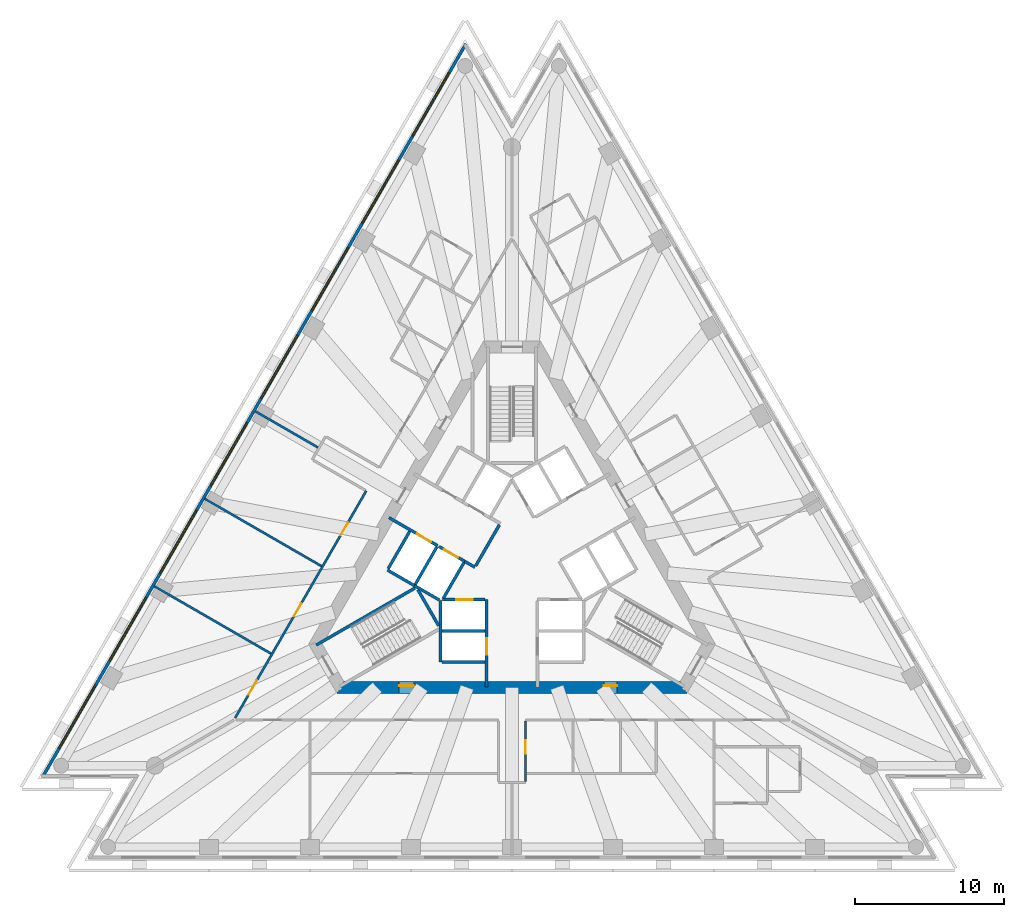
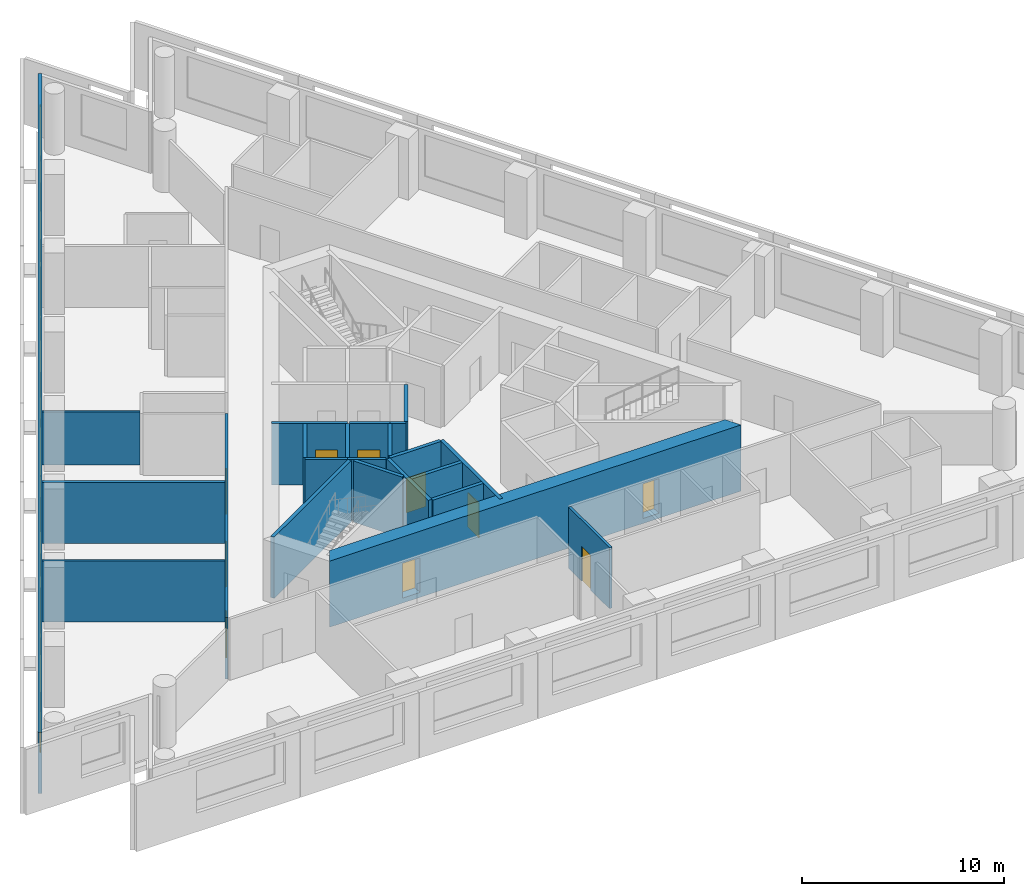
# One storey, part 3 of 9: 23 walls, 10 doors, 8 windows, 18 openings.
"""IFC4 building model written with IfcOpenShell, lengths in metres."""

from ifc_helpers import new_model, si_unit, direction, frame, frame_2d, origin, place, context, subcontext, project, spatial, polyline, rectangle, outline, extrude, material, layer, layer_set, layer_usage, type_object, element, fill, save


model = new_model("IFC4")

# Units and contexts
model_context = context("Model", 3, precision=1e-05, world=origin(), true_north=direction((0.0, 1.0)))
body_context = subcontext(model_context, "Body", "Model", "MODEL_VIEW")
ifc_project = project(units=[si_unit("LENGTHUNIT", "METRE"), si_unit("AREAUNIT", "SQUARE_METRE"), si_unit("VOLUMEUNIT", "CUBIC_METRE"), si_unit("PLANEANGLEUNIT", "RADIAN"), si_unit("MASSUNIT", "GRAM", prefix="KILO")], contexts=[model_context])

# Site, building, storey
site_placement = place(None, origin())
site = spatial("IfcSite", under=ifc_project, at=site_placement, CompositionType="ELEMENT")
building_placement = place(site_placement, origin())
building = spatial("IfcBuilding", under=site, at=building_placement, Name="Triada Interchange Tower", CompositionType="ELEMENT")
storey_placement = place(building_placement, frame((0.0, 0.0, 132.300048828125)))
storey = spatial("IfcBuildingStorey", under=building, at=storey_placement, Name="L30", CompositionType="ELEMENT", Elevation=132.300048828125)

# Walls
ifc_material_1 = material(Name="Concrete C30/37", Category="concrete")
ifc_layer_1 = layer(ifc_material_1, 0.199951171875)
ifc_layer_set_1 = layer_set([ifc_layer_1], Name="CORE WALL 200 EI 120")
wall_type_1 = type_object("IfcWallType", Name="CORE WALL 200 EI 120", PredefinedType="SOLIDWALL", material=ifc_layer_set_1)
wall_1_placement = place(storey_placement, frame((-8.3759765625, -0.70703125, 0.0), z_axis=(0.0, 0.0, 1.0), x_axis=(0.866067520717, -0.499927044236, 0.0)))
element("IfcWall", 1, at=wall_1_placement, inside=storey, type_object=wall_type_1, Name="Wall L29 54", PredefinedType="SOLIDWALL", context=body_context, shape_type="SweptSolid", body=[
    extrude(rectangle(XDim=2.100341796875, YDim=0.199951171875, at=frame_2d((1.05029296875, 0.0))), origin(), (0.0, 0.0, 1.0), 3.699951171875),
])
wall_2_placement = place(storey_placement, frame((-8.325927734375, -0.6201171875, 0.0), z_axis=(0.0, 0.0, 1.0), x_axis=(0.500023687443, 0.866011727401, 0.0)))
element("IfcWall", 2, at=wall_2_placement, inside=storey, type_object=wall_type_1, Name="Wall L29 55", PredefinedType="SOLIDWALL", context=body_context, shape_type="SweptSolid", body=[
    extrude(rectangle(XDim=2.899658203125, YDim=0.199951171875, at=frame_2d((1.44970703125, 0.0))), origin(), (0.0, 0.0, 1.0), 3.699951171875),
])
wall_3_placement = place(storey_placement, frame((-4.800048828125, -6.89990234375, 0.0), z_axis=(0.0, 0.0, 1.0), x_axis=(0.0, 1.0, 0.0)))
element("IfcWall", 3, at=wall_3_placement, inside=storey, type_object=wall_type_1, Name="Wall L29 56", PredefinedType="SOLIDWALL", context=body_context, shape_type="SweptSolid", body=[
    extrude(rectangle(XDim=4.130859375, YDim=0.199951171875, at=frame_2d((2.0654296875, 0.0))), origin(), (0.0, 0.0, 1.0), 3.699951171875),
])
for number, where, z_axis, x_axis, name in (
    (4, (-4.699951171875, -6.89990234375, 0.0), (0.0, 0.0, 1.0), (1.0, 0.0, 0.0), "Wall L29 57"),
    (5, (-4.699951171875, -4.800048828125, 0.0), (0.0, 0.0, 1.0), (1.0, 0.0, 0.0), "Wall L29 59"),
):
    element("IfcWall", number, at=place(storey_placement, frame(where, z_axis=z_axis, x_axis=x_axis)), inside=storey, type_object=wall_type_1, Name=name, PredefinedType="SOLIDWALL", context=body_context, shape_type="SweptSolid", body=[
        extrude(rectangle(XDim=2.89990234375, YDim=0.199951171875, at=frame_2d((1.449951171875, 0.0))), origin(), (0.0, 0.0, 1.0), 3.699951171875),
    ])

# Wall, opening, door
wall_4_placement = place(storey_placement, frame((-1.699951171875, -8.580078125, 0.0), z_axis=(0.0, 0.0, 1.0), x_axis=(0.0, 1.0, 0.0)))
wall_4 = element("IfcWall", 6, at=wall_4_placement, inside=storey, type_object=wall_type_1, Name="Wall L29 61", PredefinedType="SOLIDWALL", context=body_context, shape_type="SweptSolid", body=[
    extrude(rectangle(XDim=5.877197265625, YDim=0.199951171875, at=frame_2d((2.9384765625, 0.0))), origin(), (0.0, 0.0, 1.0), 3.699951171875),
])
opening_1_placement = place(wall_4_placement, frame((2.179931640625, 0.0, 0.0)))
opening_1 = element("IfcOpeningElement", 7, at=opening_1_placement, cuts=wall_4, Name="Opening LD-LR4", PredefinedType="OPENING", context=body_context, shape_type="SweptSolid", body=[
    extrude(rectangle(XDim=1.10009765625, YDim=2.10009765625, at=frame_2d((0.550048828125, 1.050048828125))), frame((0.0, 0.10986328125, 0.0), z_axis=(0.0, -1.0, 0.0), x_axis=(1.0, 0.0, 0.0)), (0.0, 0.0, 1.0), 0.219970703125),
])
ifc_material_2 = material(Name="Steel S235 door leaf", Category="steel")
door_type_1 = type_object("IfcDoorType", Name="LIFT LANDING DOOR 1100 EI 120", OperationType="SLIDING_TO_LEFT", PredefinedType="DOOR", material=ifc_material_2)
door_1_placement = place(opening_1_placement, origin())
door_1 = element("IfcDoor", 8, at=door_1_placement, inside=storey, type_object=door_type_1, Name="LR4 landing door L30", OperationType="SLIDING_TO_LEFT", OverallHeight=2.10009765625, OverallWidth=1.10009765625, PredefinedType="DOOR", context=body_context, shape_type="SweptSolid", body=[
    extrude(rectangle(XDim=1.10009765625, YDim=2.10009765625, at=frame_2d((0.550048828125, 1.050048828125))), frame((0.0, 0.02490234375, 0.0), z_axis=(0.0, -1.0, 0.0), x_axis=(1.0, 0.0, 0.0)), (0.0, 0.0, 1.0), 0.050048828125),
])
fill(opening_1, door_1)

wall_5_placement = place(storey_placement, frame((-4.676025390625, -2.699951171875, 0.0), z_axis=(0.0, 0.0, 1.0), x_axis=(1.0, 0.0, 0.0)))
wall_5 = element("IfcWall", 9, at=wall_5_placement, inside=storey, type_object=wall_type_1, Name="Wall L29 62", PredefinedType="SOLIDWALL", context=body_context, shape_type="SweptSolid", body=[
    extrude(rectangle(XDim=2.873046875, YDim=0.199951171875, at=frame_2d((1.4365234375, 0.0))), origin(), (0.0, 0.0, 1.0), 3.699951171875),
])
opening_2_placement = place(wall_5_placement, frame((0.93701171875, 0.0, 0.0)))
opening_2 = element("IfcOpeningElement", 10, at=opening_2_placement, cuts=wall_5, Name="Opening LD-LR3", PredefinedType="OPENING", context=body_context, shape_type="SweptSolid", body=[
    extrude(rectangle(XDim=1.10009765625, YDim=2.10009765625, at=frame_2d((0.550048828125, 1.050048828125))), frame((0.0, 0.10986328125, 0.0), z_axis=(0.0, -1.0, 0.0), x_axis=(1.0, 0.0, 0.0)), (0.0, 0.0, 1.0), 0.219970703125),
])
door_2_placement = place(opening_2_placement, origin())
door_2 = element("IfcDoor", 11, at=door_2_placement, inside=storey, type_object=door_type_1, Name="LR3 landing door L30", OperationType="SLIDING_TO_LEFT", OverallHeight=2.10009765625, OverallWidth=1.10009765625, PredefinedType="DOOR", context=body_context, shape_type="SweptSolid", body=[
    extrude(rectangle(XDim=1.10009765625, YDim=2.10009765625, at=frame_2d((0.550048828125, 1.050048828125))), frame((0.0, 0.02490234375, 0.0), z_axis=(0.0, -1.0, 0.0), x_axis=(1.0, 0.0, 0.0)), (0.0, 0.0, 1.0), 0.050048828125),
])
fill(opening_2, door_2)

ifc_layer_2 = layer(ifc_material_1, 0.199951171875)
ifc_layer_set_2 = layer_set([ifc_layer_2], Name="CORE WALL 200 EI 180")
wall_type_2 = type_object("IfcWallType", Name="CORE WALL 200 EI 180", PredefinedType="SOLIDWALL", material=ifc_layer_set_2)
wall_6_placement = place(storey_placement, frame((-8.280029296875, 2.818115234375, 0.0), z_axis=(0.0, 0.0, 1.0), x_axis=(0.86600175068, -0.50004096614, 0.0)))
wall_6 = element("IfcWall", 12, at=wall_6_placement, inside=storey, type_object=wall_type_2, Name="Wall L29 76", PredefinedType="SOLIDWALL", context=body_context, shape_type="SweptSolid", body=[
    extrude(rectangle(XDim=3.781982421875, YDim=0.199951171875, at=frame_2d((1.89111328125, 0.0))), origin(), (0.0, 0.0, 1.0), 3.699951171875),
])
opening_3_placement = place(wall_6_placement, frame((2.179931640625, 0.0, 0.0)))
opening_3 = element("IfcOpeningElement", 13, at=opening_3_placement, cuts=wall_6, Name="Opening LD-SV1", PredefinedType="OPENING", context=body_context, shape_type="SweptSolid", body=[
    extrude(rectangle(XDim=1.10009765625, YDim=2.10009765625, at=frame_2d((0.550048828125, 1.050048828125))), frame((0.0, 0.10986328125, 0.0), z_axis=(0.0, -1.0, 0.0), x_axis=(1.0, 0.0, 0.0)), (0.0, 0.0, 1.0), 0.219970703125),
])
door_3_placement = place(opening_3_placement, origin())
door_3 = element("IfcDoor", 14, at=door_3_placement, inside=storey, type_object=door_type_1, Name="SV1 landing door L30", OperationType="SLIDING_TO_LEFT", OverallHeight=2.10009765625, OverallWidth=1.10009765625, PredefinedType="DOOR", context=body_context, shape_type="SweptSolid", body=[
    extrude(rectangle(XDim=1.10009765625, YDim=2.10009765625, at=frame_2d((0.550048828125, 1.050048828125))), frame((0.0, 0.02490234375, 0.0), z_axis=(0.0, -1.0, 0.0), x_axis=(1.0, 0.0, 0.0)), (0.0, 0.0, 1.0), 0.050048828125),
])
fill(opening_3, door_3)

# Walls
wall_7_placement = place(storey_placement, frame((-3.18798828125, -0.1220703125, 0.0), z_axis=(0.0, 0.0, 1.0), x_axis=(0.865705793592, -0.50055317294, 0.0)))
element("IfcWall", 15, at=wall_7_placement, inside=storey, type_object=wall_type_2, Name="Wall L29 77", PredefinedType="SOLIDWALL", context=body_context, shape_type="SweptSolid", body=[
    extrude(rectangle(XDim=0.796875, YDim=0.199951171875, at=frame_2d((0.3984375, 0.0))), origin(), (0.0, 0.0, 1.0), 3.699951171875),
])
wall_8_placement = place(storey_placement, frame((-2.444091796875, -0.43310546875, 0.0), z_axis=(0.0, 0.0, 1.0), x_axis=(0.500035624827, 0.866004834804, 0.0)))
element("IfcWall", 16, at=wall_8_placement, inside=storey, type_object=wall_type_2, Name="Wall L29 82", PredefinedType="SOLIDWALL", context=body_context, shape_type="SweptSolid", body=[
    extrude(rectangle(XDim=3.194091796875, YDim=0.199951171875, at=frame_2d((1.59716796875, 0.0))), origin(), (0.0, 0.0, 1.0), 3.699951171875),
])
wall_9_placement = place(storey_placement, frame((-6.556884765625, -1.757080078125, 0.0), z_axis=(0.0, 0.0, 1.0), x_axis=(0.8659754619, -0.500086491905, 0.0)))
element("IfcWall", 17, at=wall_9_placement, inside=storey, type_object=wall_type_2, Name="Shaft wall FF1 L29 83", PredefinedType="SOLIDWALL", context=body_context, shape_type="SweptSolid", body=[
    extrude(rectangle(XDim=1.915771484375, YDim=0.199951171875, at=frame_2d((0.9580078125, 0.0))), origin(), (0.0, 0.0, 1.0), 3.699951171875),
])
wall_10_placement = place(storey_placement, frame((-6.507080078125, -1.669921875, 0.0), z_axis=(0.0, 0.0, 1.0), x_axis=(0.50012328804, 0.865954211699, 0.0)))
element("IfcWall", 18, at=wall_10_placement, inside=storey, type_object=wall_type_2, Name="Shaft wall FF1 L29 84", PredefinedType="SOLIDWALL", context=body_context, shape_type="SweptSolid", body=[
    extrude(rectangle(XDim=2.899658203125, YDim=0.199951171875, at=frame_2d((1.44970703125, 0.0))), origin(), (0.0, 0.0, 1.0), 3.699951171875),
])

# Wall, opening, door
wall_11_placement = place(storey_placement, frame((-4.919921875, 0.8779296875, 0.0), z_axis=(0.0, 0.0, 1.0), x_axis=(0.866010750942, -0.50002537861, 0.0)))
wall_11 = element("IfcWall", 19, at=wall_11_placement, inside=storey, type_object=wall_type_2, Name="Shaft wall FF1 L29 85", PredefinedType="SOLIDWALL", context=body_context, shape_type="SweptSolid", body=[
    extrude(rectangle(XDim=2.0, YDim=0.199951171875, at=frame_2d((1.0, 0.0))), origin(), (0.0, 0.0, 1.0), 3.699951171875),
])
opening_4_placement = place(wall_11_placement, frame((0.39990234375, 0.0, 0.0)))
opening_4 = element("IfcOpeningElement", 20, at=opening_4_placement, cuts=wall_11, Name="Opening LD-FF1", PredefinedType="OPENING", context=body_context, shape_type="SweptSolid", body=[
    extrude(rectangle(XDim=1.10009765625, YDim=2.10009765625, at=frame_2d((0.550048828125, 1.050048828125))), frame((0.0, 0.10986328125, 0.0), z_axis=(0.0, -1.0, 0.0), x_axis=(1.0, 0.0, 0.0)), (0.0, 0.0, 1.0), 0.219970703125),
])
door_4_placement = place(opening_4_placement, origin())
door_4 = element("IfcDoor", 21, at=door_4_placement, inside=storey, type_object=door_type_1, Name="FF1 landing door L30", OperationType="SLIDING_TO_LEFT", OverallHeight=2.10009765625, OverallWidth=1.10009765625, PredefinedType="DOOR", context=body_context, shape_type="SweptSolid", body=[
    extrude(rectangle(XDim=1.10009765625, YDim=2.10009765625, at=frame_2d((0.550048828125, 1.050048828125))), frame((0.0, 0.02490234375, 0.0), z_axis=(0.0, -1.0, 0.0), x_axis=(1.0, 0.0, 0.0)), (0.0, 0.0, 1.0), 0.050048828125),
])
fill(opening_4, door_4)

# Walls
wall_12_placement = place(storey_placement, frame((-4.618896484375, -2.60009765625, 0.0), z_axis=(0.0, 0.0, 1.0), x_axis=(0.50009492287, 0.865970593103, 0.0)))
element("IfcWall", 22, at=wall_12_placement, inside=storey, type_object=wall_type_2, Name="Shaft wall FF1 L29 86", PredefinedType="SOLIDWALL", context=body_context, shape_type="SweptSolid", body=[
    extrude(rectangle(XDim=2.76123046875, YDim=0.199951171875, at=frame_2d((1.380615234375, 0.0))), origin(), (0.0, 0.0, 1.0), 3.699951171875),
])
ifc_layer_3 = layer(ifc_material_1, 0.199951171875)
ifc_layer_set_3 = layer_set([ifc_layer_3], Name="CORE WALL 200 REI 240")
wall_type_3 = type_object("IfcWallType", Name="CORE WALL 200 REI 240", PredefinedType="SOLIDWALL", material=ifc_layer_set_3)
wall_13_placement = place(storey_placement, frame((-13.1669921875, -5.75390625, 0.0), z_axis=(0.0, 0.0, 1.0), x_axis=(0.866060938598, 0.499938446846, 0.0)))
element("IfcWall", 23, at=wall_13_placement, inside=storey, type_object=wall_type_3, Name="Wall L29 92", PredefinedType="SOLIDWALL", context=body_context, shape_type="SweptSolid", body=[
    extrude(rectangle(XDim=7.66455078125, YDim=0.199951171875, at=frame_2d((3.832275390625, 0.0))), origin(), (0.0, 0.0, 1.0), 3.699951171875),
])
wall_14_placement = place(storey_placement, frame((-6.3291015625, -2.0380859375, 0.0), z_axis=(0.0, 0.0, 1.0), x_axis=(0.500200581029, -0.865909567298, 0.0)))
element("IfcWall", 24, at=wall_14_placement, inside=storey, type_object=wall_type_3, Name="Wall L29 93", PredefinedType="SOLIDWALL", context=body_context, shape_type="SweptSolid", body=[
    extrude(rectangle(XDim=2.799072265625, YDim=0.199951171875, at=frame_2d((1.3994140625, 0.0))), origin(), (0.0, 0.0, 1.0), 3.699951171875),
])

# Wall, openings, doors
ifc_material_3 = material(Name="Concrete C60/75", Category="concrete")
ifc_layer_4 = layer(ifc_material_3, 0.800048828125)
ifc_layer_set_4 = layer_set([ifc_layer_4], Name="Core wall B 800")
wall_type_4 = type_object("IfcWallType", Name="Core wall B 800", PredefinedType="SHEAR", material=ifc_layer_set_4)
wall_15_placement = place(storey_placement, frame((-11.547119140625, -8.60009765625, -0.300048828125), z_axis=(0.0, 0.0, 1.0), x_axis=(1.0, 0.0, 0.0)))
wall_15 = element("IfcWall", 25, at=wall_15_placement, inside=storey, type_object=wall_type_4, Name="Core wall WB04 L30", PredefinedType="SHEAR", context=body_context, shape_type="SweptSolid", body=[
    extrude(outline(polyline([(-0.23095703125, -0.39990234375), (1.73193359375, -0.39990234375), (3.695068359375, -0.39990234375), (5.657958984375, -0.39990234375), (7.62109375, -0.39990234375), (9.583984375, -0.39990234375), (11.546875, -0.39990234375), (13.510009765625, -0.39990234375), (15.472900390625, -0.39990234375), (17.43603515625, -0.39990234375), (19.39892578125, -0.39990234375), (21.362060546875, -0.39990234375), (23.324951171875, -0.39990234375), (22.863037109375, 0.39990234375), (20.97705078125, 0.39990234375), (19.091064453125, 0.39990234375), (17.205078125, 0.39990234375), (15.319091796875, 0.39990234375), (13.43310546875, 0.39990234375), (11.546875, 0.39990234375), (9.660888671875, 0.39990234375), (7.77490234375, 0.39990234375), (5.888916015625, 0.39990234375), (4.0029296875, 0.39990234375), (2.116943359375, 0.39990234375), (0.23095703125, 0.39990234375), (-0.23095703125, -0.39990234375)])), origin(), (0.0, 0.0, 1.0), 4.0),
])
opening_5_placement = place(wall_15_placement, frame((3.950927734375, 0.0, 0.300048828125)))
opening_5 = element("IfcOpeningElement", 26, at=opening_5_placement, cuts=wall_15, Name="Opening D29-42", PredefinedType="OPENING", context=body_context, shape_type="SweptSolid", body=[
    extrude(rectangle(XDim=1.0, YDim=2.10009765625, at=frame_2d((0.5, 1.050048828125))), frame((0.0, 0.409912109375, 0.0), z_axis=(0.0, -1.0, 0.0), x_axis=(1.0, 0.0, 0.0)), (0.0, 0.0, 1.0), 0.820068359375),
])
opening_6_placement = place(wall_15_placement, frame((17.721923828125, 0.0, 0.300048828125)))
opening_6 = element("IfcOpeningElement", 27, at=opening_6_placement, cuts=wall_15, Name="Opening D29-45", PredefinedType="OPENING", context=body_context, shape_type="SweptSolid", body=[
    extrude(rectangle(XDim=0.89990234375, YDim=2.10009765625, at=frame_2d((0.449951171875, 1.050048828125))), frame((0.0, 0.409912109375, 0.0), z_axis=(0.0, -1.0, 0.0), x_axis=(1.0, 0.0, 0.0)), (0.0, 0.0, 1.0), 0.820068359375),
])
door_type_2 = type_object("IfcDoorType", Name="SERVICE DOOR 1000 EI2 45-C5S200", OperationType="NOTDEFINED", PredefinedType="DOOR", material=ifc_material_2)
door_5_placement = place(opening_5_placement, origin())
door_5 = element("IfcDoor", 28, at=door_5_placement, inside=storey, type_object=door_type_2, Name="Door D29-42 L30", OperationType="SINGLE_SWING_LEFT", OverallHeight=2.10009765625, OverallWidth=1.0, PredefinedType="DOOR", context=body_context, shape_type="SweptSolid", body=[
    extrude(rectangle(XDim=1.0, YDim=2.10009765625, at=frame_2d((0.5, 1.050048828125))), frame((0.0, 0.125, 0.0), z_axis=(0.0, -1.0, 0.0), x_axis=(1.0, 0.0, 0.0)), (0.0, 0.0, 1.0), 0.050048828125),
])
fill(opening_5, door_5)
door_type_3 = type_object("IfcDoorType", Name="SERVICE DOOR 900 EI2 45-C5S200", OperationType="NOTDEFINED", PredefinedType="DOOR", material=ifc_material_2)
door_6_placement = place(opening_6_placement, origin())
door_6 = element("IfcDoor", 29, at=door_6_placement, inside=storey, type_object=door_type_3, Name="Door D29-45 L30", OperationType="SINGLE_SWING_LEFT", OverallHeight=2.10009765625, OverallWidth=0.89990234375, PredefinedType="DOOR", context=body_context, shape_type="SweptSolid", body=[
    extrude(rectangle(XDim=0.89990234375, YDim=2.10009765625, at=frame_2d((0.449951171875, 1.050048828125))), frame((0.0, 0.125, 0.0), z_axis=(0.0, -1.0, 0.0), x_axis=(1.0, 0.0, 0.0)), (0.0, 0.0, 1.0), 0.050048828125),
])
fill(opening_6, door_6)

# Wall, openings, windows
ifc_material_4 = material(Name="Cement board")
ifc_layer_5 = layer(ifc_material_4, 0.02001953125, Name="Cement board cladding")
ifc_material_5 = material(Name="Sheathing board")
ifc_layer_6 = layer(ifc_material_5, 0.014892578125, Name="Sheathing board")
ifc_material_6 = material(Name="Mineral wool")
ifc_layer_7 = layer(ifc_material_6, 0.14990234375, Name="Mineral wool between steel studs")
ifc_material_7 = material(Name="Gypsum board")
ifc_layer_8 = layer(ifc_material_7, 0.014892578125, Name="Plasterboard lining")
ifc_layer_set_5 = layer_set([ifc_layer_5, ifc_layer_6, ifc_layer_7, ifc_layer_8], Name="External wall 200")
ifc_layer_usage = layer_usage(ifc_layer_set_5, "AXIS2", "POSITIVE", -0.10009765625)
wall_type_5 = type_object("IfcWallType", Name="External wall 200", PredefinedType="ELEMENTEDWALL", material=ifc_layer_set_5)
wall_16_placement = place(storey_placement, frame((-3.10888671875, 34.678955078125, 0.0), z_axis=(0.0, 0.0, 1.0), x_axis=(-0.50000689325, -0.866021423928, 0.0)))
wall_16 = element("IfcWall", 30, at=wall_16_placement, inside=storey, type_object=wall_type_5, material=ifc_layer_usage, Name="External wall L30 NW", PredefinedType="ELEMENTEDWALL", context=body_context, shape_type="SweptSolid", body=[
    extrude(rectangle(XDim=56.937255859375, YDim=0.199951171875, at=frame_2d((28.46875, 0.0))), origin(), (0.0, 0.0, 1.0), 3.699951171875),
])
opening_7_placement = place(wall_16_placement, frame((2.2490234375, 0.0, 0.89990234375)))
opening_7 = element("IfcOpeningElement", 31, at=opening_7_placement, cuts=wall_16, Name="Opening WB01", PredefinedType="OPENING", context=body_context, shape_type="SweptSolid", body=[
    extrude(rectangle(XDim=4.89990234375, YDim=2.5, at=frame_2d((2.449951171875, 1.25))), frame((0.0, 0.10986328125, 0.0), z_axis=(0.0, -1.0, 0.0), x_axis=(1.0, 0.0, 0.0)), (0.0, 0.0, 1.0), 0.219970703125),
])
opening_8_placement = place(wall_16_placement, frame((9.04296875, 0.0, 0.89990234375)))
opening_8 = element("IfcOpeningElement", 32, at=opening_8_placement, cuts=wall_16, Name="Opening WB02", PredefinedType="OPENING", context=body_context, shape_type="SweptSolid", body=[
    extrude(rectangle(XDim=4.89990234375, YDim=2.5, at=frame_2d((2.449951171875, 1.25))), frame((0.0, 0.10986328125, 0.0), z_axis=(0.0, -1.0, 0.0), x_axis=(1.0, 0.0, 0.0)), (0.0, 0.0, 1.0), 0.219970703125),
])
opening_9_placement = place(wall_16_placement, frame((15.8369140625, 0.0, 0.89990234375)))
opening_9 = element("IfcOpeningElement", 33, at=opening_9_placement, cuts=wall_16, Name="Opening WB03", PredefinedType="OPENING", context=body_context, shape_type="SweptSolid", body=[
    extrude(rectangle(XDim=4.89990234375, YDim=2.5, at=frame_2d((2.449951171875, 1.25))), frame((0.0, 0.10986328125, 0.0), z_axis=(0.0, -1.0, 0.0), x_axis=(1.0, 0.0, 0.0)), (0.0, 0.0, 1.0), 0.219970703125),
])
opening_10_placement = place(wall_16_placement, frame((22.631103515625, 0.0, 0.89990234375)))
opening_10 = element("IfcOpeningElement", 34, at=opening_10_placement, cuts=wall_16, Name="Opening WB04", PredefinedType="OPENING", context=body_context, shape_type="SweptSolid", body=[
    extrude(rectangle(XDim=4.89990234375, YDim=2.5, at=frame_2d((2.449951171875, 1.25))), frame((0.0, 0.10986328125, 0.0), z_axis=(0.0, -1.0, 0.0), x_axis=(1.0, 0.0, 0.0)), (0.0, 0.0, 1.0), 0.219970703125),
])
opening_11_placement = place(wall_16_placement, frame((29.425048828125, 0.0, 0.89990234375)))
opening_11 = element("IfcOpeningElement", 35, at=opening_11_placement, cuts=wall_16, Name="Opening WB05", PredefinedType="OPENING", context=body_context, shape_type="SweptSolid", body=[
    extrude(rectangle(XDim=4.89990234375, YDim=2.5, at=frame_2d((2.449951171875, 1.25))), frame((0.0, 0.10986328125, 0.0), z_axis=(0.0, -1.0, 0.0), x_axis=(1.0, 0.0, 0.0)), (0.0, 0.0, 1.0), 0.219970703125),
])
opening_12_placement = place(wall_16_placement, frame((36.218994140625, 0.0, 0.89990234375)))
opening_12 = element("IfcOpeningElement", 36, at=opening_12_placement, cuts=wall_16, Name="Opening WB06", PredefinedType="OPENING", context=body_context, shape_type="SweptSolid", body=[
    extrude(rectangle(XDim=4.89990234375, YDim=2.5, at=frame_2d((2.449951171875, 1.25))), frame((0.0, 0.10986328125, 0.0), z_axis=(0.0, -1.0, 0.0), x_axis=(1.0, 0.0, 0.0)), (0.0, 0.0, 1.0), 0.219970703125),
])
opening_13_placement = place(wall_16_placement, frame((43.012939453125, 0.0, 0.89990234375)))
opening_13 = element("IfcOpeningElement", 37, at=opening_13_placement, cuts=wall_16, Name="Opening WB07", PredefinedType="OPENING", context=body_context, shape_type="SweptSolid", body=[
    extrude(rectangle(XDim=4.89990234375, YDim=2.5, at=frame_2d((2.449951171875, 1.25))), frame((0.0, 0.10986328125, 0.0), z_axis=(0.0, -1.0, 0.0), x_axis=(1.0, 0.0, 0.0)), (0.0, 0.0, 1.0), 0.219970703125),
])
opening_14_placement = place(wall_16_placement, frame((49.806884765625, 0.0, 0.89990234375)))
opening_14 = element("IfcOpeningElement", 38, at=opening_14_placement, cuts=wall_16, Name="Opening WB08", PredefinedType="OPENING", context=body_context, shape_type="SweptSolid", body=[
    extrude(rectangle(XDim=4.89990234375, YDim=2.5, at=frame_2d((2.449951171875, 1.25))), frame((0.0, 0.10986328125, 0.0), z_axis=(0.0, -1.0, 0.0), x_axis=(1.0, 0.0, 0.0)), (0.0, 0.0, 1.0), 0.219970703125),
])
ifc_material_8 = material(Name="Double glazed aluminium window", Category="aluminium")
window_type = type_object("IfcWindowType", Name="Ribbon window B face", PartitioningType="SINGLE_PANEL", PredefinedType="WINDOW", material=ifc_material_8)
window_1_placement = place(opening_7_placement, origin())
window_1 = element("IfcWindow", 39, at=window_1_placement, inside=storey, type_object=window_type, Name="Window L30 NW 1", OverallHeight=2.5, OverallWidth=4.89990234375, PartitioningType="SINGLE_PANEL", PredefinedType="WINDOW", context=body_context, shape_type="SweptSolid", body=[
    extrude(rectangle(XDim=4.89990234375, YDim=2.5, at=frame_2d((2.449951171875, 1.25))), frame((0.0, 0.030029296875, 0.0), z_axis=(0.0, -1.0, 0.0), x_axis=(1.0, 0.0, 0.0)), (0.0, 0.0, 1.0), 0.06005859375),
])
fill(opening_7, window_1)
window_2_placement = place(opening_8_placement, origin())
window_2 = element("IfcWindow", 40, at=window_2_placement, inside=storey, type_object=window_type, Name="Window L30 NW 2", OverallHeight=2.5, OverallWidth=4.89990234375, PartitioningType="SINGLE_PANEL", PredefinedType="WINDOW", context=body_context, shape_type="SweptSolid", body=[
    extrude(rectangle(XDim=4.89990234375, YDim=2.5, at=frame_2d((2.449951171875, 1.25))), frame((0.0, 0.030029296875, 0.0), z_axis=(0.0, -1.0, 0.0), x_axis=(1.0, 0.0, 0.0)), (0.0, 0.0, 1.0), 0.06005859375),
])
fill(opening_8, window_2)
window_3_placement = place(opening_9_placement, origin())
window_3 = element("IfcWindow", 41, at=window_3_placement, inside=storey, type_object=window_type, Name="Window L30 NW 3", OverallHeight=2.5, OverallWidth=4.89990234375, PartitioningType="SINGLE_PANEL", PredefinedType="WINDOW", context=body_context, shape_type="SweptSolid", body=[
    extrude(rectangle(XDim=4.89990234375, YDim=2.5, at=frame_2d((2.449951171875, 1.25))), frame((0.0, 0.030029296875, 0.0), z_axis=(0.0, -1.0, 0.0), x_axis=(1.0, 0.0, 0.0)), (0.0, 0.0, 1.0), 0.06005859375),
])
fill(opening_9, window_3)
window_4_placement = place(opening_10_placement, origin())
window_4 = element("IfcWindow", 42, at=window_4_placement, inside=storey, type_object=window_type, Name="Window L30 NW 4", OverallHeight=2.5, OverallWidth=4.89990234375, PartitioningType="SINGLE_PANEL", PredefinedType="WINDOW", context=body_context, shape_type="SweptSolid", body=[
    extrude(rectangle(XDim=4.89990234375, YDim=2.5, at=frame_2d((2.449951171875, 1.25))), frame((0.0, 0.030029296875, 0.0), z_axis=(0.0, -1.0, 0.0), x_axis=(1.0, 0.0, 0.0)), (0.0, 0.0, 1.0), 0.06005859375),
])
fill(opening_10, window_4)
window_5_placement = place(opening_11_placement, origin())
window_5 = element("IfcWindow", 43, at=window_5_placement, inside=storey, type_object=window_type, Name="Window L30 NW 5", OverallHeight=2.5, OverallWidth=4.89990234375, PartitioningType="SINGLE_PANEL", PredefinedType="WINDOW", context=body_context, shape_type="SweptSolid", body=[
    extrude(rectangle(XDim=4.89990234375, YDim=2.5, at=frame_2d((2.449951171875, 1.25))), frame((0.0, 0.030029296875, 0.0), z_axis=(0.0, -1.0, 0.0), x_axis=(1.0, 0.0, 0.0)), (0.0, 0.0, 1.0), 0.06005859375),
])
fill(opening_11, window_5)
window_6_placement = place(opening_12_placement, origin())
window_6 = element("IfcWindow", 44, at=window_6_placement, inside=storey, type_object=window_type, Name="Window L30 NW 6", OverallHeight=2.5, OverallWidth=4.89990234375, PartitioningType="SINGLE_PANEL", PredefinedType="WINDOW", context=body_context, shape_type="SweptSolid", body=[
    extrude(rectangle(XDim=4.89990234375, YDim=2.5, at=frame_2d((2.449951171875, 1.25))), frame((0.0, 0.030029296875, 0.0), z_axis=(0.0, -1.0, 0.0), x_axis=(1.0, 0.0, 0.0)), (0.0, 0.0, 1.0), 0.06005859375),
])
fill(opening_12, window_6)
window_7_placement = place(opening_13_placement, origin())
window_7 = element("IfcWindow", 45, at=window_7_placement, inside=storey, type_object=window_type, Name="Window L30 NW 7", OverallHeight=2.5, OverallWidth=4.89990234375, PartitioningType="SINGLE_PANEL", PredefinedType="WINDOW", context=body_context, shape_type="SweptSolid", body=[
    extrude(rectangle(XDim=4.89990234375, YDim=2.5, at=frame_2d((2.449951171875, 1.25))), frame((0.0, 0.030029296875, 0.0), z_axis=(0.0, -1.0, 0.0), x_axis=(1.0, 0.0, 0.0)), (0.0, 0.0, 1.0), 0.06005859375),
])
fill(opening_13, window_7)
window_8_placement = place(opening_14_placement, origin())
window_8 = element("IfcWindow", 46, at=window_8_placement, inside=storey, type_object=window_type, Name="Window L30 NW 8", OverallHeight=2.5, OverallWidth=4.89990234375, PartitioningType="SINGLE_PANEL", PredefinedType="WINDOW", context=body_context, shape_type="SweptSolid", body=[
    extrude(rectangle(XDim=4.89990234375, YDim=2.5, at=frame_2d((2.449951171875, 1.25))), frame((0.0, 0.030029296875, 0.0), z_axis=(0.0, -1.0, 0.0), x_axis=(1.0, 0.0, 0.0)), (0.0, 0.0, 1.0), 0.06005859375),
])
fill(opening_14, window_8)

# Walls
ifc_material_9 = material(Name="Gypsum board partition")
ifc_layer_9 = layer(ifc_material_9, 0.14990234375)
ifc_layer_set_6 = layer_set([ifc_layer_9], Name="PARTITION 150 EI 180")
wall_type_6 = type_object("IfcWallType", Name="PARTITION 150 EI 180", PredefinedType="PARTITIONING", material=ifc_layer_set_6)
for number, where, z_axis, x_axis, name in (
    (47, (-24.072998046875, -1.7919921875, 0.0), (0.0, 0.0, 1.0), (0.866049876065, -0.49995761037, 0.0), "Wall L29 2"),
    (48, (-20.676025390625, 4.092041015625, 0.0), (0.0, 0.0, 1.0), (0.866049876065, -0.49995761037, 0.0), "Wall L29 3"),
):
    element("IfcWall", number, at=place(storey_placement, frame(where, z_axis=z_axis, x_axis=x_axis)), inside=storey, type_object=wall_type_6, Name=name, PredefinedType="PARTITIONING", context=body_context, shape_type="SweptSolid", body=[
        extrude(rectangle(XDim=9.076904296875, YDim=0.14990234375, at=frame_2d((4.53857421875, 0.0))), origin(), (0.0, 0.0, 1.0), 3.699951171875),
    ])

# Wall, openings, doors
wall_17_placement = place(storey_placement, frame((-18.631103515625, -10.669921875, 0.0), z_axis=(0.0, 0.0, 1.0), x_axis=(0.499976222121, 0.866039131514, 0.0)))
wall_17 = element("IfcWall", 49, at=wall_17_placement, inside=storey, type_object=wall_type_6, Name="Wall L29 6", PredefinedType="PARTITIONING", context=body_context, shape_type="SweptSolid", body=[
    extrude(rectangle(XDim=17.655029296875, YDim=0.14990234375, at=frame_2d((8.82763671875, 0.0))), origin(), (0.0, 0.0, 1.0), 3.699951171875),
])
opening_15_placement = place(wall_17_placement, frame((14.2060546875, 0.0, 0.0)))
opening_15 = element("IfcOpeningElement", 50, at=opening_15_placement, cuts=wall_17, Name="Opening D29-34", PredefinedType="OPENING", context=body_context, shape_type="SweptSolid", body=[
    extrude(rectangle(XDim=1.0, YDim=2.10009765625, at=frame_2d((0.5, 1.050048828125))), frame((0.0, 0.0849609375, 0.0), z_axis=(0.0, -1.0, 0.0), x_axis=(1.0, 0.0, 0.0)), (0.0, 0.0, 1.0), 0.169921875),
])
opening_16_placement = place(wall_17_placement, frame((7.912109375, 0.0, 0.0)))
opening_16 = element("IfcOpeningElement", 51, at=opening_16_placement, cuts=wall_17, Name="Opening D29-35", PredefinedType="OPENING", context=body_context, shape_type="SweptSolid", body=[
    extrude(rectangle(XDim=1.0, YDim=2.10009765625, at=frame_2d((0.5, 1.050048828125))), frame((0.0, 0.0849609375, 0.0), z_axis=(0.0, -1.0, 0.0), x_axis=(1.0, 0.0, 0.0)), (0.0, 0.0, 1.0), 0.169921875),
])
opening_17_placement = place(wall_17_placement, frame((1.818115234375, 0.0, 0.0)))
opening_17 = element("IfcOpeningElement", 52, at=opening_17_placement, cuts=wall_17, Name="Opening D29-36", PredefinedType="OPENING", context=body_context, shape_type="SweptSolid", body=[
    extrude(rectangle(XDim=1.10009765625, YDim=2.10009765625, at=frame_2d((0.550048828125, 1.050048828125))), frame((0.0, 0.0849609375, 0.0), z_axis=(0.0, -1.0, 0.0), x_axis=(1.0, 0.0, 0.0)), (0.0, 0.0, 1.0), 0.169921875),
])
door_type_4 = type_object("IfcDoorType", Name="ROOM DOOR 1000 EI2 90-C5S200", OperationType="NOTDEFINED", PredefinedType="DOOR", material=ifc_material_2)
door_7_placement = place(opening_15_placement, origin())
door_7 = element("IfcDoor", 53, at=door_7_placement, inside=storey, type_object=door_type_4, Name="Door D29-34 L30", OperationType="SINGLE_SWING_RIGHT", OverallHeight=2.10009765625, OverallWidth=1.0, PredefinedType="DOOR", context=body_context, shape_type="SweptSolid", body=[
    extrude(rectangle(XDim=1.0, YDim=2.10009765625, at=frame_2d((0.5, 1.050048828125))), frame((0.0, 0.02490234375, 0.0), z_axis=(0.0, -1.0, 0.0), x_axis=(1.0, 0.0, 0.0)), (0.0, 0.0, 1.0), 0.050048828125),
])
fill(opening_15, door_7)
door_8_placement = place(opening_16_placement, origin())
door_8 = element("IfcDoor", 54, at=door_8_placement, inside=storey, type_object=door_type_4, Name="Door D29-35 L30", OperationType="SINGLE_SWING_LEFT", OverallHeight=2.10009765625, OverallWidth=1.0, PredefinedType="DOOR", context=body_context, shape_type="SweptSolid", body=[
    extrude(rectangle(XDim=1.0, YDim=2.10009765625, at=frame_2d((0.5, 1.050048828125))), frame((0.0, 0.02490234375, 0.0), z_axis=(0.0, -1.0, 0.0), x_axis=(1.0, 0.0, 0.0)), (0.0, 0.0, 1.0), 0.050048828125),
])
fill(opening_16, door_8)
door_type_5 = type_object("IfcDoorType", Name="TENANCY ENTRANCE DOOR 1100 EI2 90-C5S200", OperationType="NOTDEFINED", PredefinedType="DOOR", material=ifc_material_2)
door_9_placement = place(opening_17_placement, origin())
door_9 = element("IfcDoor", 55, at=door_9_placement, inside=storey, type_object=door_type_5, Name="Door D29-36 L30", OperationType="SINGLE_SWING_LEFT", OverallHeight=2.10009765625, OverallWidth=1.10009765625, PredefinedType="DOOR", context=body_context, shape_type="SweptSolid", body=[
    extrude(rectangle(XDim=1.10009765625, YDim=2.10009765625, at=frame_2d((0.550048828125, 1.050048828125))), frame((0.0, 0.02490234375, 0.0), z_axis=(0.0, -1.0, 0.0), x_axis=(1.0, 0.0, 0.0)), (0.0, 0.0, 1.0), 0.050048828125),
])
fill(opening_17, door_9)

# Wall
wall_18_placement = place(storey_placement, frame((-17.279052734375, 9.97607421875, 0.0), z_axis=(0.0, 0.0, 1.0), x_axis=(0.866097235509, -0.49987556316, 0.0)))
element("IfcWall", 56, at=wall_18_placement, inside=storey, type_object=wall_type_6, Name="Wall L29 8", PredefinedType="PARTITIONING", context=body_context, shape_type="SweptSolid", body=[
    extrude(rectangle(XDim=4.877197265625, YDim=0.14990234375, at=frame_2d((2.4384765625, 0.0))), origin(), (0.0, 0.0, 1.0), 3.199951171875),
])

# Wall, opening, door
wall_19_placement = place(storey_placement, frame((0.89990234375, -14.925048828125, 0.0), z_axis=(0.0, 0.0, 1.0), x_axis=(0.0, 1.0, 0.0)))
wall_19 = element("IfcWall", 57, at=wall_19_placement, inside=storey, type_object=wall_type_6, Name="Wall L29 23", PredefinedType="PARTITIONING", context=body_context, shape_type="SweptSolid", body=[
    extrude(rectangle(XDim=4.049072265625, YDim=0.14990234375, at=frame_2d((2.0244140625, 0.0))), origin(), (0.0, 0.0, 1.0), 3.699951171875),
])
opening_18_placement = place(wall_19_placement, frame((1.875, 0.0, 0.0)))
opening_18 = element("IfcOpeningElement", 58, at=opening_18_placement, cuts=wall_19, Name="Opening D29-15", PredefinedType="OPENING", context=body_context, shape_type="SweptSolid", body=[
    extrude(rectangle(XDim=0.89990234375, YDim=2.10009765625, at=frame_2d((0.449951171875, 1.050048828125))), frame((0.0, 0.0849609375, 0.0), z_axis=(0.0, -1.0, 0.0), x_axis=(1.0, 0.0, 0.0)), (0.0, 0.0, 1.0), 0.169921875),
])
door_type_6 = type_object("IfcDoorType", Name="ROOM DOOR 900 EI2 90-C5S200", OperationType="NOTDEFINED", PredefinedType="DOOR", material=ifc_material_2)
door_10_placement = place(opening_18_placement, origin())
door_10 = element("IfcDoor", 59, at=door_10_placement, inside=storey, type_object=door_type_6, Name="Door D29-15 L30", OperationType="SINGLE_SWING_LEFT", OverallHeight=2.10009765625, OverallWidth=0.89990234375, PredefinedType="DOOR", context=body_context, shape_type="SweptSolid", body=[
    extrude(rectangle(XDim=0.89990234375, YDim=2.10009765625, at=frame_2d((0.449951171875, 1.050048828125))), frame((0.0, 0.02490234375, 0.0), z_axis=(0.0, -1.0, 0.0), x_axis=(1.0, 0.0, 0.0)), (0.0, 0.0, 1.0), 0.050048828125),
])
fill(opening_18, door_10)

save(model, "model.ifc")
